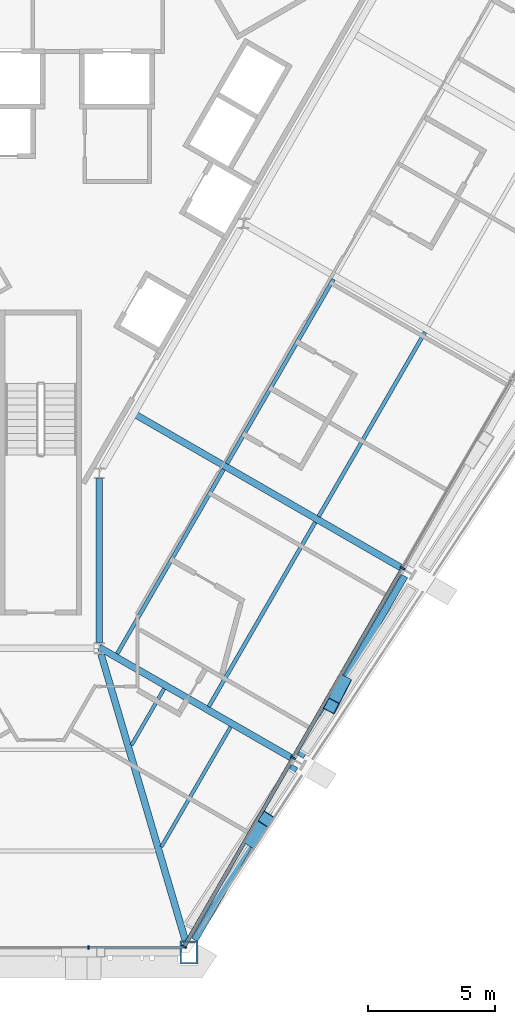
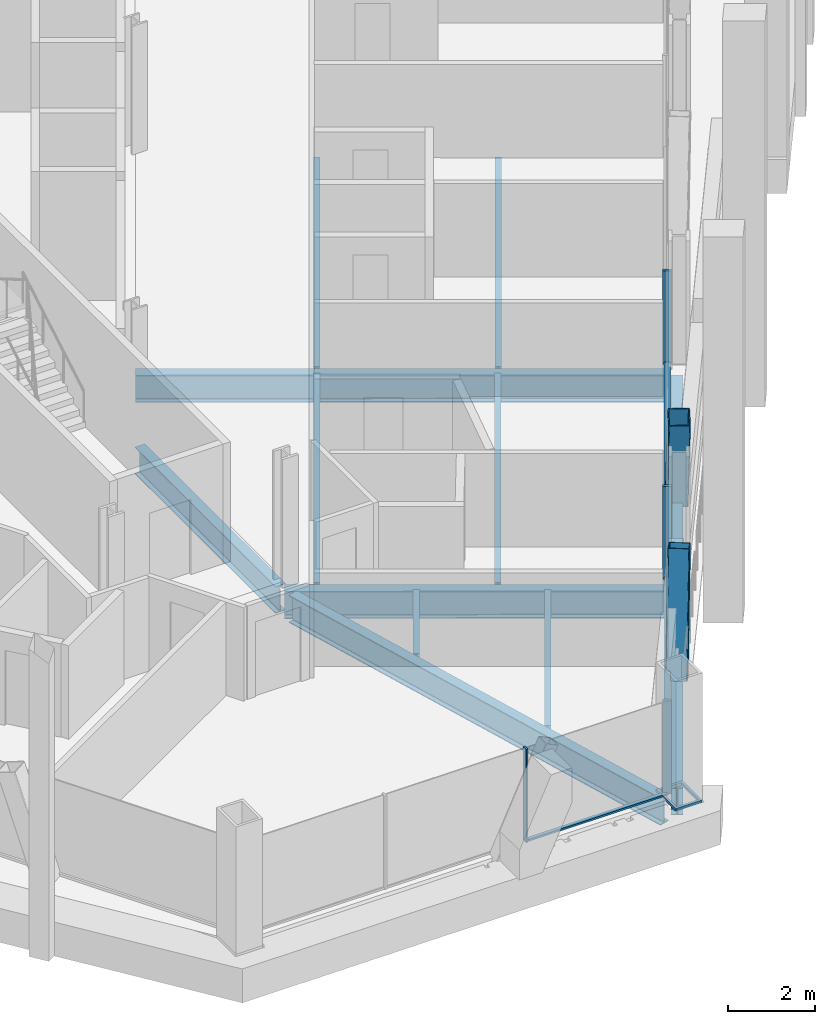
# One storey, part 5 of 19: 12 beams, 10 members, 2 elements without a shape of their own.
"""IFC4 building model written with IfcOpenShell, lengths in metres."""

from ifc_helpers import new_model, si_unit, direction, frame, origin, origin_2d, place, context, subcontext, project, spatial, rectangle, hollow_rectangle, i_section, extrude, material, material_profile, profile_set, type_object, element, aggregate, save


model = new_model("IFC4")

# Units and contexts
model_context = context("Model", 3, precision=1e-05, world=origin(), true_north=direction((0.0, 1.0)))
body_context = subcontext(model_context, "Body", "Model", "MODEL_VIEW")
ifc_project = project(units=[si_unit("LENGTHUNIT", "METRE"), si_unit("AREAUNIT", "SQUARE_METRE"), si_unit("VOLUMEUNIT", "CUBIC_METRE"), si_unit("PLANEANGLEUNIT", "RADIAN"), si_unit("MASSUNIT", "GRAM", prefix="KILO")], contexts=[model_context])

# Site, building, storey
site_placement = place(None, origin())
site = spatial("IfcSite", under=ifc_project, at=site_placement, CompositionType="ELEMENT")
building_placement = place(site_placement, origin())
building = spatial("IfcBuilding", under=site, at=building_placement, Name="Verrane Prism Tower", CompositionType="ELEMENT")
storey_placement = place(building_placement, frame((0.0, 0.0, 76.39990234375)))
storey = spatial("IfcBuildingStorey", under=building, at=storey_placement, Name="L17", CompositionType="ELEMENT", Elevation=76.39990234375)

# Beams
ifc_material_1 = material(Name="Steel A992", Category="steel")
ifc_material_profile_1 = material_profile(ifc_material_1, i_section(OverallWidth=0.2666015625, OverallDepth=0.7568359375, WebThickness=0.013916015625, FlangeThickness=0.019287109375, FilletRadius=0.0166015625, at=origin_2d()), Name="W30x108")
ifc_profile_set_1 = profile_set([ifc_material_profile_1], Name="Steel A992")
beam_type_1 = type_object("IfcBeamType", Name="Core ring girder W30x108", PredefinedType="BEAM", material=ifc_profile_set_1)
beam_1_placement = place(storey_placement, frame((2.300048828125, -21.07275390625, -0.62841796875), z_axis=(0.0, 1.0, 0.0), x_axis=(-1.0, 0.0, 0.0)))
element("IfcBeam", 1, at=beam_1_placement, inside=storey, type_object=beam_type_1, Name="Core ring girder L17", PredefinedType="BEAM", context=body_context, shape_type="SweptSolid", body=[
    extrude(i_section(OverallWidth=0.2666015625, OverallDepth=0.7568359375, WebThickness=0.013916015625, FlangeThickness=0.019287109375, FilletRadius=0.0166015625, at=origin_2d()), origin(), (0.0, 0.0, 1.0), 6.4443359375),
])
ifc_material_2 = material(Name="Steel A992", Category="steel")
ifc_material_profile_2 = material_profile(ifc_material_2, i_section(OverallWidth=0.2666015625, OverallDepth=0.76708984375, WebThickness=0.014892578125, FlangeThickness=0.023681640625, FilletRadius=0.0166015625, at=origin_2d()), Name="W30x124")
ifc_profile_set_2 = profile_set([ifc_material_profile_2], Name="Steel A992")
beam_type_2 = type_object("IfcBeamType", Name="Corner girder W30x124", PredefinedType="BEAM", material=ifc_profile_set_2)
beam_2_placement = place(storey_placement, frame((5.6875, -32.809814453125, -0.603515625), z_axis=(-0.282337147907, 0.959315242718, 0.0), x_axis=(-0.959315242718, -0.282337147907, 0.0)))
element("IfcBeam", 2, at=beam_2_placement, inside=storey, type_object=beam_type_2, Name="Corner girder L17", PredefinedType="BEAM", context=body_context, shape_type="SweptSolid", body=[
    extrude(i_section(OverallWidth=0.2666015625, OverallDepth=0.76708984375, WebThickness=0.014892578125, FlangeThickness=0.023681640625, FilletRadius=0.0166015625, at=origin_2d()), origin(), (0.0, 0.0, 1.0), 11.760986328125),
])

# Members
ifc_material_3 = material(Name="Steel A1085 Grade A", Category="steel")
ifc_material_profile_3 = material_profile(ifc_material_3, hollow_rectangle(XDim=0.508056640625, YDim=0.508056640625, WallThickness=0.025390625, InnerFilletRadius=0.0126953125, OuterFilletRadius=0.0380859375, at=origin_2d()), Name="HSS20x20x1")
ifc_profile_set_3 = profile_set([ifc_material_profile_3], Name="Steel A1085 Grade A")
member_type_1 = type_object("IfcMemberType", Name="Facade brace HSS20x20x1", PredefinedType="BRACE", material=ifc_profile_set_3)
member_1_placement = place(storey_placement, frame((8.30078125, -28.859619140625, -0.242431640625), z_axis=(0.172717600409, 0.267654579876, 0.947908042154), x_axis=(-0.840243407143, 0.542209384604, 0.0)))
element("IfcMember", 3, at=member_1_placement, inside=storey, type_object=member_type_1, Name="Facade brace SE0 L17", PredefinedType="BRACE", context=body_context, shape_type="SweptSolid", body=[
    extrude(hollow_rectangle(XDim=0.508056640625, YDim=0.508056640625, WallThickness=0.025390625, InnerFilletRadius=0.0126953125, OuterFilletRadius=0.0380859375, at=origin_2d()), origin(), (0.0, 0.0, 1.0), 3.17333984375),
])
member_2_placement = place(storey_placement, frame((11.89404296875, -22.634521484375, -0.242431640625), z_axis=(-0.15026244284, -0.291861795864, 0.94458344808), x_axis=(0.889086893267, -0.457738458315, 0.0)))
element("IfcMember", 4, at=member_2_placement, inside=storey, type_object=member_type_1, Name="Facade brace SE1 L17", PredefinedType="BRACE", context=body_context, shape_type="SweptSolid", body=[
    extrude(hollow_rectangle(XDim=0.508056640625, YDim=0.508056640625, WallThickness=0.025390625, InnerFilletRadius=0.0126953125, OuterFilletRadius=0.0380859375, at=origin_2d()), origin(), (0.0, 0.0, 1.0), 3.1845703125),
])

# Beams
ifc_material_4 = material(Name="Steel A992", Category="steel")
ifc_material_profile_4 = material_profile(ifc_material_4, i_section(OverallWidth=0.140380859375, OverallDepth=0.40380859375, WebThickness=0.007080078125, FlangeThickness=0.01123046875, FilletRadius=0.01025390625, at=origin_2d()), Name="W16x31")
ifc_profile_set_4 = profile_set([ifc_material_profile_4], Name="Steel A992")
beam_type_3 = type_object("IfcBeamType", Name="Floor beam W16x31", PredefinedType="BEAM", material=ifc_profile_set_4)
beam_3_placement = place(storey_placement, frame((4.73681640625, -29.107177734375, -0.36181640625), z_axis=(0.500003687357, 0.866023274877, 0.0), x_axis=(-0.866023274877, 0.500003687357, 0.0)))
element("IfcBeam", 5, at=beam_3_placement, inside=storey, type_object=beam_type_3, Name="Floor beam L17", PredefinedType="BEAM", context=body_context, shape_type="SweptSolid", body=[
    extrude(i_section(OverallWidth=0.140380859375, OverallDepth=0.40380859375, WebThickness=0.007080078125, FlangeThickness=0.01123046875, FilletRadius=0.01025390625, at=origin_2d()), origin(), (0.0, 0.0, 1.0), 5.435546875),
])
beam_4_placement = place(storey_placement, frame((3.5615234375, -25.11376953125, -0.36181640625), z_axis=(0.500019079056, 0.866014388206, 0.0), x_axis=(-0.866014388206, 0.500019079056, 0.0)))
element("IfcBeam", 6, at=beam_4_placement, inside=storey, type_object=beam_type_3, Name="Floor beam L17", PredefinedType="BEAM", context=body_context, shape_type="SweptSolid", body=[
    extrude(i_section(OverallWidth=0.140380859375, OverallDepth=0.40380859375, WebThickness=0.007080078125, FlangeThickness=0.01123046875, FilletRadius=0.01025390625, at=origin_2d()), origin(), (0.0, 0.0, 1.0), 2.56494140625),
])
ifc_material_5 = material(Name="Steel A992", Category="steel")
ifc_material_profile_5 = material_profile(ifc_material_5, i_section(OverallWidth=0.15234375, OverallDepth=0.449462890625, WebThickness=0.007568359375, FlangeThickness=0.0107421875, FilletRadius=0.01025390625, at=origin_2d()), Name="W18x35")
ifc_profile_set_5 = profile_set([ifc_material_profile_5], Name="Steel A992")
beam_type_4 = type_object("IfcBeamType", Name="Floor beam W18x35", PredefinedType="BEAM", material=ifc_profile_set_5)
beam_5_placement = place(storey_placement, frame((6.598388671875, -23.59716796875, -0.384765625), z_axis=(0.50000104701, 0.866024799292, 0.0), x_axis=(-0.866024799292, 0.50000104701, 0.0)))
element("IfcBeam", 7, at=beam_5_placement, inside=storey, type_object=beam_type_4, Name="Floor beam L17", PredefinedType="BEAM", context=body_context, shape_type="SweptSolid", body=[
    extrude(i_section(OverallWidth=0.15234375, OverallDepth=0.449462890625, WebThickness=0.007568359375, FlangeThickness=0.0107421875, FilletRadius=0.01025390625, at=origin_2d()), origin(), (0.0, 0.0, 1.0), 8.36962890625),
])
beam_6_placement = place(storey_placement, frame((2.9990234375, -21.519287109375, -0.384765625), z_axis=(0.499998569178, 0.866026229868, 0.0), x_axis=(-0.866026229868, 0.499998569178, 0.0)))
element("IfcBeam", 8, at=beam_6_placement, inside=storey, type_object=beam_type_4, Name="Floor beam L17", PredefinedType="BEAM", context=body_context, shape_type="SweptSolid", body=[
    extrude(i_section(OverallWidth=0.15234375, OverallDepth=0.449462890625, WebThickness=0.007568359375, FlangeThickness=0.0107421875, FilletRadius=0.01025390625, at=origin_2d()), origin(), (0.0, 0.0, 1.0), 8.3681640625),
])
beam_7_placement = place(storey_placement, frame((10.92041015625, -16.119873046875, -0.384765625), z_axis=(0.499984359078, 0.866034433887, 0.0), x_axis=(-0.866034433887, 0.499984359078, 0.0)))
element("IfcBeam", 9, at=beam_7_placement, inside=storey, type_object=beam_type_4, Name="Floor beam L17", PredefinedType="BEAM", context=body_context, shape_type="SweptSolid", body=[
    extrude(i_section(OverallWidth=0.15234375, OverallDepth=0.449462890625, WebThickness=0.007568359375, FlangeThickness=0.0107421875, FilletRadius=0.01025390625, at=origin_2d()), origin(), (0.0, 0.0, 1.0), 8.364990234375),
])
beam_8_placement = place(storey_placement, frame((7.318603515625, -14.0419921875, -0.384765625), z_axis=(0.499989320658, 0.866031569417, 0.0), x_axis=(-0.866031569417, 0.499989320658, 0.0)))
element("IfcBeam", 10, at=beam_8_placement, inside=storey, type_object=beam_type_4, Name="Floor beam L17", PredefinedType="BEAM", context=body_context, shape_type="SweptSolid", body=[
    extrude(i_section(OverallWidth=0.15234375, OverallDepth=0.449462890625, WebThickness=0.007568359375, FlangeThickness=0.0107421875, FilletRadius=0.01025390625, at=origin_2d()), origin(), (0.0, 0.0, 1.0), 8.367919921875),
])

# Member
ifc_material_6 = material(Name="Steel A572 Grade 50", Category="steel")
ifc_material_profile_6 = material_profile(ifc_material_6, hollow_rectangle(XDim=0.699951171875, YDim=0.89990234375, WallThickness=0.06494140625, at=origin_2d()), Name="BOX 900x700x65")
ifc_profile_set_6 = profile_set([ifc_material_profile_6], Name="Steel A572 Grade 50")
member_type_2 = type_object("IfcMemberType", Name="Kink node BOX 900x700x65", PredefinedType="COLLAR", material=ifc_profile_set_6)
member_3_placement = place(storey_placement, frame((5.819091796875, -33.25830078125, -0.039794921875), z_axis=(0.0, 0.0, 1.0), x_axis=(-1.0, 0.0, 0.0)))
element("IfcMember", 11, at=member_3_placement, inside=storey, type_object=member_type_2, Name="Kink node MC3 L17", PredefinedType="COLLAR", context=body_context, shape_type="SweptSolid", body=[
    extrude(hollow_rectangle(XDim=0.699951171875, YDim=0.89990234375, WallThickness=0.06494140625, at=origin_2d()), origin(), (0.0, 0.0, 1.0), 0.079833984375),
])

# Curtain wall, member
ifc_material_7 = material(Name="Aluminium framed insulated glazing", Category="aluminium")
curtain_wall_type_1 = type_object("IfcCurtainWallType", Name="Curtain wall CW-C 4200 module", PredefinedType="NOTDEFINED", material=ifc_material_7)
curtain_wall_1_placement = place(storey_placement, origin())
curtain_wall_1 = element("IfcCurtainWall", 12, at=curtain_wall_1_placement, inside=storey, type_object=curtain_wall_type_1, Name="Glazed curtain wall south corner L17", PredefinedType="NOTDEFINED")
ifc_material_8 = material(Name="Aluminium alloy 6063-T6", Category="aluminium")
ifc_material_profile_7 = material_profile(ifc_material_8, rectangle(XDim=0.139892578125, YDim=0.050048828125, at=origin_2d()), Name="Mullion 50x140 aluminium")
ifc_profile_set_7 = profile_set([ifc_material_profile_7], Name="Aluminium alloy 6063-T6")
member_type_3 = type_object("IfcMemberType", Name="Mullion 50x140 aluminium", PredefinedType="MULLION", material=ifc_profile_set_7)
member_4_placement = place(storey_placement, frame((1.871337890625, -33.058349609375, 0.0), z_axis=(0.0, 0.0, 1.0), x_axis=(0.0, 1.0, 0.0)))
member_4 = element("IfcMember", 13, at=member_4_placement, type_object=member_type_3, Name="CW17.5 mullion 3", PredefinedType="MULLION", context=body_context, shape_type="SweptSolid", body=[
    extrude(rectangle(XDim=0.139892578125, YDim=0.050048828125, at=origin_2d()), origin(), (0.0, 0.0, 1.0), 2.613037109375),
])

# Curtain wall, members
ifc_material_9 = material(Name="Aluminium framed insulated glazing", Category="aluminium")
curtain_wall_type_2 = type_object("IfcCurtainWallType", Name="Curtain wall CW-A 8400 module", PredefinedType="NOTDEFINED", material=ifc_material_9)
curtain_wall_2_placement = place(storey_placement, origin())
curtain_wall_2 = element("IfcCurtainWall", 14, at=curtain_wall_2_placement, inside=storey, type_object=curtain_wall_type_2, Name="Glazed curtain wall south-east face L17", PredefinedType="NOTDEFINED")
ifc_material_10 = material(Name="Aluminium alloy 6063-T6", Category="aluminium")
ifc_material_profile_8 = material_profile(ifc_material_10, rectangle(XDim=0.199951171875, YDim=0.070068359375, at=origin_2d()), Name="Mullion 70x200 aluminium")
ifc_profile_set_8 = profile_set([ifc_material_profile_8], Name="Aluminium alloy 6063-T6")
member_type_4 = type_object("IfcMemberType", Name="Mullion 70x200 aluminium", PredefinedType="MULLION", material=ifc_profile_set_8)
member_5_placement = place(storey_placement, frame((5.63134765625, -33.028076171875, 0.0), z_axis=(0.0, 0.0, 1.0), x_axis=(-0.866025845387, 0.499999235121, 0.0)))
member_5 = element("IfcMember", 15, at=member_5_placement, type_object=member_type_4, Name="CW17.6 mullion 1", PredefinedType="MULLION", context=body_context, shape_type="SweptSolid", body=[
    extrude(rectangle(XDim=0.199951171875, YDim=0.070068359375, at=origin_2d()), origin(), (0.0, 0.0, 1.0), 2.613037109375),
])
member_6_placement = place(storey_placement, frame((9.917724609375, -25.60400390625, 0.0), z_axis=(0.0, 0.0, 1.0), x_axis=(-0.866025845387, 0.499999235121, 0.0)))
member_6 = element("IfcMember", 16, at=member_6_placement, type_object=member_type_4, Name="CW17.6 mullion 2", PredefinedType="MULLION", context=body_context, shape_type="SweptSolid", body=[
    extrude(rectangle(XDim=0.199951171875, YDim=0.070068359375, at=origin_2d()), origin(), (0.0, 0.0, 1.0), 2.613037109375),
])
member_7_placement = place(storey_placement, frame((14.221435546875, -18.14990234375, 0.0), z_axis=(0.0, 0.0, 1.0), x_axis=(-0.866025845387, 0.499999235121, 0.0)))
member_7 = element("IfcMember", 17, at=member_7_placement, type_object=member_type_4, Name="CW17.6 mullion 3", PredefinedType="MULLION", context=body_context, shape_type="SweptSolid", body=[
    extrude(rectangle(XDim=0.199951171875, YDim=0.070068359375, at=origin_2d()), origin(), (0.0, 0.0, 1.0), 2.613037109375),
])

# Beams
ifc_material_11 = material(Name="Steel A992", Category="steel")
ifc_material_profile_9 = material_profile(ifc_material_11, i_section(OverallWidth=0.2666015625, OverallDepth=0.76708984375, WebThickness=0.014892578125, FlangeThickness=0.023681640625, FilletRadius=0.0166015625, at=origin_2d()), Name="W30x124")
ifc_profile_set_9 = profile_set([ifc_material_profile_9], Name="Steel A992")
beam_type_5 = type_object("IfcBeamType", Name="Radial girder W30x124", PredefinedType="BEAM", material=ifc_profile_set_9)
beam_9_placement = place(storey_placement, frame((9.88037109375, -25.623779296875, -0.603515625), z_axis=(-0.867113498492, 0.498110610941, 0.0), x_axis=(-0.498110610941, -0.867113498492, 0.0)))
element("IfcBeam", 18, at=beam_9_placement, inside=storey, type_object=beam_type_5, Name="Radial girder L17", PredefinedType="BEAM", context=body_context, shape_type="SweptSolid", body=[
    extrude(i_section(OverallWidth=0.2666015625, OverallDepth=0.76708984375, WebThickness=0.014892578125, FlangeThickness=0.023681640625, FilletRadius=0.0166015625, at=origin_2d()), origin(), (0.0, 0.0, 1.0), 8.741943359375),
])
beam_10_placement = place(storey_placement, frame((14.1953125, -18.15185546875, -0.603515625), z_axis=(-0.866415987779, 0.499322877626, 0.0), x_axis=(-0.499322877626, -0.866415987779, 0.0)))
element("IfcBeam", 19, at=beam_10_placement, inside=storey, type_object=beam_type_5, Name="Radial girder L17", PredefinedType="BEAM", context=body_context, shape_type="SweptSolid", body=[
    extrude(i_section(OverallWidth=0.2666015625, OverallDepth=0.76708984375, WebThickness=0.014892578125, FlangeThickness=0.023681640625, FilletRadius=0.0166015625, at=origin_2d()), origin(), (0.0, 0.0, 1.0), 12.167236328125),
])
ifc_material_12 = material(Name="Steel A992", Category="steel")
ifc_material_profile_10 = material_profile(ifc_material_12, i_section(OverallWidth=0.2666015625, OverallDepth=0.7568359375, WebThickness=0.013916015625, FlangeThickness=0.019287109375, FilletRadius=0.0166015625, at=origin_2d()), Name="W30x108")
ifc_profile_set_10 = profile_set([ifc_material_profile_10], Name="Steel A992")
beam_type_6 = type_object("IfcBeamType", Name="Spandrel beam W30x108", PredefinedType="SPANDREL", material=ifc_profile_set_10)
beam_11_placement = place(storey_placement, frame((6.05078125, -32.75927734375, -0.538330078125), z_axis=(0.499751960976, 0.866168561829, 0.0), x_axis=(-0.866168561829, 0.499751960976, 0.0)))
element("IfcBeam", 20, at=beam_11_placement, inside=storey, type_object=beam_type_6, Name="Spandrel beam L17", PredefinedType="SPANDREL", context=body_context, shape_type="SweptSolid", body=[
    extrude(i_section(OverallWidth=0.2666015625, OverallDepth=0.7568359375, WebThickness=0.013916015625, FlangeThickness=0.019287109375, FilletRadius=0.0166015625, at=origin_2d()), origin(), (0.0, 0.0, 1.0), 7.87890625),
])
beam_12_placement = place(storey_placement, frame((10.2041015625, -25.560791015625, -0.538330078125), z_axis=(0.500095456561, 0.865970284898, 0.0), x_axis=(-0.865970284898, 0.500095456561, 0.0)))
element("IfcBeam", 21, at=beam_12_placement, inside=storey, type_object=beam_type_6, Name="Spandrel beam L17", PredefinedType="SPANDREL", context=body_context, shape_type="SweptSolid", body=[
    extrude(i_section(OverallWidth=0.2666015625, OverallDepth=0.7568359375, WebThickness=0.013916015625, FlangeThickness=0.019287109375, FilletRadius=0.0166015625, at=origin_2d()), origin(), (0.0, 0.0, 1.0), 8.1962890625),
])

# Member
ifc_material_13 = material(Name="Aluminium alloy 6063-T6", Category="aluminium")
ifc_material_profile_11 = material_profile(ifc_material_13, rectangle(XDim=0.10009765625, YDim=0.050048828125, at=origin_2d()), Name="Transom 50x100 aluminium")
ifc_profile_set_11 = profile_set([ifc_material_profile_11], Name="Aluminium alloy 6063-T6")
member_type_5 = type_object("IfcMemberType", Name="Transom 50x100 aluminium", PredefinedType="USERDEFINED", material=ifc_profile_set_11)
member_8_placement = place(storey_placement, frame((1.896240234375, -33.058349609375, 0.025146484375), z_axis=(1.0, 0.0, 0.0), x_axis=(0.0, 1.0, 0.0)))
member_8 = element("IfcMember", 22, at=member_8_placement, type_object=member_type_5, Name="CW17.5 transom 3", ObjectType="TRANSOM", PredefinedType="USERDEFINED", context=body_context, shape_type="SweptSolid", body=[
    extrude(rectangle(XDim=0.10009765625, YDim=0.050048828125, at=origin_2d()), origin(), (0.0, 0.0, 1.0), 3.7177734375),
])

aggregate(curtain_wall_1, [member_4, member_8])

ifc_material_14 = material(Name="Aluminium alloy 6063-T6", Category="aluminium")
ifc_material_profile_12 = material_profile(ifc_material_14, rectangle(XDim=0.14990234375, YDim=0.070068359375, at=origin_2d()), Name="Transom 70x150 aluminium")
ifc_profile_set_12 = profile_set([ifc_material_profile_12], Name="Aluminium alloy 6063-T6")
member_type_6 = type_object("IfcMemberType", Name="Transom 70x150 aluminium", PredefinedType="USERDEFINED", material=ifc_profile_set_12)
member_9_placement = place(storey_placement, frame((5.64892578125, -32.997802734375, 0.03515625), z_axis=(0.500002495586, 0.866023962952, 0.0), x_axis=(-0.866023962952, 0.500002495586, 0.0)))
member_9 = element("IfcMember", 23, at=member_9_placement, type_object=member_type_6, Name="CW17.6 transom 1", ObjectType="TRANSOM", PredefinedType="USERDEFINED", context=body_context, shape_type="SweptSolid", body=[
    extrude(rectangle(XDim=0.14990234375, YDim=0.070068359375, at=origin_2d()), origin(), (0.0, 0.0, 1.0), 8.50244140625),
])

member_10_placement = place(storey_placement, frame((9.93505859375, -25.57373046875, 0.03515625), z_axis=(0.50001124802, 0.866018909639, 0.0), x_axis=(-0.866018909639, 0.50001124802, 0.0)))
member_10 = element("IfcMember", 24, at=member_10_placement, type_object=member_type_6, Name="CW17.6 transom 2", ObjectType="TRANSOM", PredefinedType="USERDEFINED", context=body_context, shape_type="SweptSolid", body=[
    extrude(rectangle(XDim=0.14990234375, YDim=0.070068359375, at=origin_2d()), origin(), (0.0, 0.0, 1.0), 8.537353515625),
])

aggregate(curtain_wall_2, [member_5, member_6, member_7, member_9, member_10])

save(model, "model.ifc")
